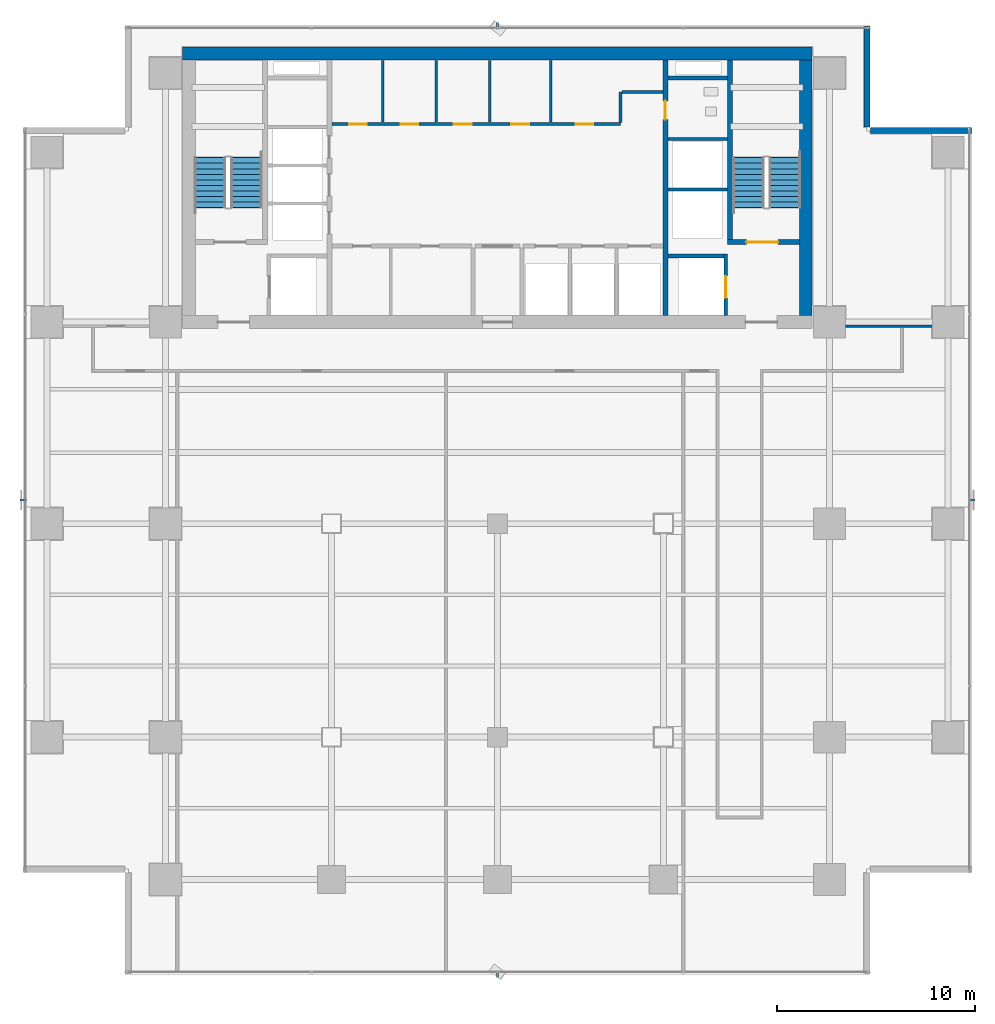
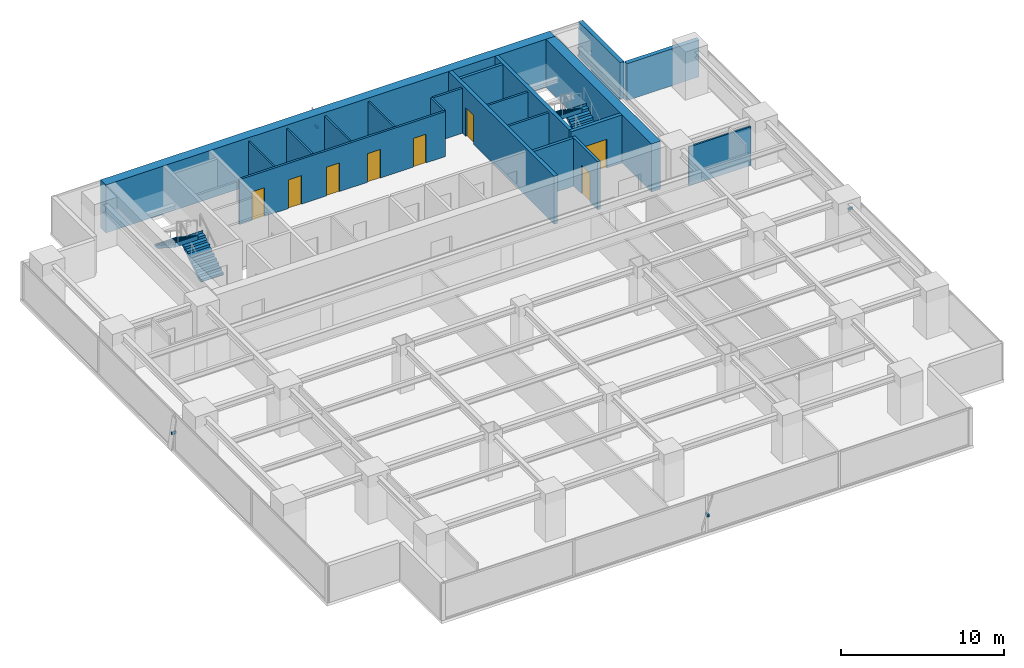
# One storey, part 22 of 27: 20 walls, 8 doors, 4 discrete accessories, 4 stair flights, 8 openings, 2 elements without a shape of their own.
"""IFC4 building model written with IfcOpenShell, lengths in metres."""

from ifc_helpers import new_model, si_unit, direction, frame, frame_2d, origin, origin_2d, place, context, subcontext, project, spatial, polyline, rectangle, outline, extrude, source, transform, mapped, material, layer, layer_set, material_profile, profile_set, type_object, element, fill, aggregate, save


model = new_model("IFC4")

# Units and contexts
model_context = context("Model", 3, precision=1e-05, world=origin(), true_north=direction((0.0, 1.0)))
body_context = subcontext(model_context, "Body", "Model", "MODEL_VIEW")
ifc_project = project(units=[si_unit("LENGTHUNIT", "METRE"), si_unit("AREAUNIT", "SQUARE_METRE"), si_unit("VOLUMEUNIT", "CUBIC_METRE"), si_unit("PLANEANGLEUNIT", "RADIAN"), si_unit("MASSUNIT", "GRAM", prefix="KILO")], contexts=[model_context])

# Site, building, storey
site_placement = place(None, origin())
site = spatial("IfcSite", under=ifc_project, at=site_placement, CompositionType="ELEMENT")
building_placement = place(site_placement, origin())
building = spatial("IfcBuilding", under=site, at=building_placement, Name="Sumidabori Civic Tower", CompositionType="ELEMENT")
storey_placement = place(building_placement, frame((0.0, 0.0, 142.39990234375)))
storey = spatial("IfcBuildingStorey", under=building, at=storey_placement, Name="L36", CompositionType="ELEMENT", Elevation=142.39990234375)

# Walls
ifc_material_1 = material(Name="Concrete C50/60", Category="concrete")
ifc_layer_1 = layer(ifc_material_1, 0.199951171875, Name="Concrete C50/60")
ifc_layer_set_1 = layer_set([ifc_layer_1], Name="Concrete C50/60")
wall_type_1 = type_object("IfcWallType", Name="WL-SHAFT-200", PredefinedType="SHEAR", material=ifc_layer_set_1)
shared_shape_1 = source(origin(), body_context, "Body", "SweptSolid", [
    extrude(rectangle(XDim=2.824951171875, YDim=0.199951171875, at=frame_2d((1.41259765625, 0.0))), origin(), (0.0, 0.0, 1.0), 3.60009765625),
])
wall_1_placement = place(storey_placement, frame((8.625, 13.550048828125, 0.0), z_axis=(0.0, 0.0, 1.0), x_axis=(1.0, 0.0, 0.0)))
element("IfcWall", 1, at=wall_1_placement, inside=storey, type_object=wall_type_1, Name="Core Shear Wall L36 EL2-N", PredefinedType="SHEAR", context=body_context, shape_type="MappedRepresentation", body=[
    mapped(shared_shape_1, transform((0.0, 0.0, 0.0), x_axis=(1.0, 0.0, 0.0), y_axis=(0.0, 1.0, 0.0), z_axis=(0.0, 0.0, 1.0), scale=1.0)),
])
shared_shape_2 = source(origin(), body_context, "Body", "SweptSolid", [
    extrude(rectangle(XDim=3.02001953125, YDim=0.199951171875, at=frame_2d((1.510009765625, 0.0))), origin(), (0.0, 0.0, 1.0), 3.60009765625),
])
wall_2_placement = place(storey_placement, frame((8.625, 22.550048828125, 0.0), z_axis=(0.0, 0.0, 1.0), x_axis=(1.0, 0.0, 0.0)))
element("IfcWall", 2, at=wall_2_placement, inside=storey, type_object=wall_type_1, Name="Core Shear Wall L36 RIS2-S", PredefinedType="SHEAR", context=body_context, shape_type="MappedRepresentation", body=[
    mapped(shared_shape_2, transform((0.0, 0.0, 0.0), x_axis=(1.0, 0.0, 0.0), y_axis=(0.0, 1.0, 0.0), z_axis=(0.0, 0.0, 1.0), scale=1.0)),
])
ifc_material_2 = material(Name="Concrete C60/75", Category="concrete")
ifc_layer_2 = layer(ifc_material_2, 0.64990234375, Name="Concrete C60/75")
ifc_layer_set_2 = layer_set([ifc_layer_2], Name="Concrete C60/75")
wall_type_2 = type_object("IfcWallType", Name="WL-CORE-650", PredefinedType="SHEAR", material=ifc_layer_set_2)
shared_shape_3 = source(origin(), body_context, "Body", "SweptSolid", [
    extrude(rectangle(XDim=31.85009765625, YDim=0.64990234375, at=frame_2d((15.925048828125, 0.0))), origin(), (0.0, 0.0, 1.0), 3.60009765625),
])
wall_3_placement = place(storey_placement, frame((-15.925048828125, 23.800048828125, 0.0), z_axis=(0.0, 0.0, 1.0), x_axis=(1.0, 0.0, 0.0)))
element("IfcWall", 3, at=wall_3_placement, inside=storey, type_object=wall_type_2, Name="Core Shear Wall L36 N", PredefinedType="SHEAR", context=body_context, shape_type="MappedRepresentation", body=[
    mapped(shared_shape_3, transform((0.0, 0.0, 0.0), x_axis=(1.0, 0.0, 0.0), y_axis=(0.0, 1.0, 0.0), z_axis=(0.0, 0.0, 1.0), scale=1.0)),
])
shared_shape_4 = source(origin(), body_context, "Body", "SweptSolid", [
    extrude(rectangle(XDim=12.9501953125, YDim=0.64990234375, at=frame_2d((6.47509765625, 0.0))), origin(), (0.0, 0.0, 1.0), 3.60009765625),
])
wall_4_placement = place(storey_placement, frame((15.60009765625, 10.52490234375, 0.0), z_axis=(0.0, 0.0, 1.0), x_axis=(0.0, 1.0, 0.0)))
element("IfcWall", 4, at=wall_4_placement, inside=storey, type_object=wall_type_2, Name="Core Shear Wall L36 E", PredefinedType="SHEAR", context=body_context, shape_type="MappedRepresentation", body=[
    mapped(shared_shape_4, transform((0.0, 0.0, 0.0), x_axis=(1.0, 0.0, 0.0), y_axis=(0.0, 1.0, 0.0), z_axis=(0.0, 0.0, 1.0), scale=1.0)),
])

# Wall, opening, door
ifc_layer_3 = layer(ifc_material_1, 0.25, Name="Concrete C50/60")
ifc_layer_set_3 = layer_set([ifc_layer_3], Name="Concrete C50/60")
wall_type_3 = type_object("IfcWallType", Name="WL-SHAFT-250", PredefinedType="SHEAR", material=ifc_layer_set_3)
shared_shape_5 = source(origin(), body_context, "Body", "SweptSolid", [
    extrude(rectangle(XDim=12.9501953125, YDim=0.25, at=frame_2d((6.47509765625, 0.0))), origin(), (0.0, 0.0, 1.0), 3.60009765625),
])
wall_5_placement = place(storey_placement, frame((8.5, 10.52490234375, 0.0), z_axis=(0.0, 0.0, 1.0), x_axis=(0.0, 1.0, 0.0)))
wall_5 = element("IfcWall", 5, at=wall_5_placement, inside=storey, type_object=wall_type_3, Name="Core Shear Wall L36 WEB-E", PredefinedType="SHEAR", context=body_context, shape_type="MappedRepresentation", body=[
    mapped(shared_shape_5, transform((0.0, 0.0, 0.0), x_axis=(1.0, 0.0, 0.0), y_axis=(0.0, 1.0, 0.0), z_axis=(0.0, 0.0, 1.0), scale=1.0)),
])
opening_1_placement = place(wall_5_placement, frame((9.925048828125, 0.0, 0.0)))
opening_1 = element("IfcOpeningElement", 6, at=opening_1_placement, cuts=wall_5, Name="Opening DR-2", PredefinedType="OPENING", context=body_context, shape_type="SweptSolid", body=[
    extrude(rectangle(XDim=0.949951171875, YDim=2.14990234375, at=frame_2d((0.47509765625, 1.074951171875))), frame((0.0, 0.136962890625, 0.0), z_axis=(0.0, -1.0, 0.0), x_axis=(1.0, 0.0, 0.0)), (0.0, 0.0, 1.0), 0.27392578125),
])
ifc_material_3 = material(Name="Japanese Hinoki Timber", Category="wood")
door_type_1 = type_object("IfcDoorType", Name="DR-INT-950", OperationType="NOTDEFINED", PredefinedType="DOOR", material=ifc_material_3)
shared_shape_6 = source(origin(), body_context, "Body", "SweptSolid", [
    extrude(rectangle(XDim=0.949951171875, YDim=2.14990234375, at=frame_2d((0.47509765625, 1.074951171875))), frame((0.0, 0.02490234375, 0.0), z_axis=(0.0, -1.0, 0.0), x_axis=(1.0, 0.0, 0.0)), (0.0, 0.0, 1.0), 0.050048828125),
])
door_1_placement = place(opening_1_placement, origin())
door_1 = element("IfcDoor", 7, at=door_1_placement, inside=storey, type_object=door_type_1, Name="Door DR:L36:WC-ACC", OperationType="SINGLE_SWING_RIGHT", OverallHeight=2.14990234375, OverallWidth=0.949951171875, PredefinedType="DOOR", context=body_context, shape_type="MappedRepresentation", body=[
    mapped(shared_shape_6, transform((0.0, 0.0, 0.0), x_axis=(1.0, 0.0, 0.0), y_axis=(0.0, 1.0, 0.0), z_axis=(0.0, 0.0, 1.0), scale=1.0)),
])
fill(opening_1, door_1)

shared_shape_7 = source(origin(), body_context, "Body", "SweptSolid", [
    extrude(rectangle(XDim=3.6298828125, YDim=0.25, at=frame_2d((1.81494140625, 0.0))), origin(), (0.0, 0.0, 1.0), 3.60009765625),
])
wall_6_placement = place(storey_placement, frame((11.64501953125, 14.25, 0.0), z_axis=(0.0, 0.0, 1.0), x_axis=(1.0, 0.0, 0.0)))
wall_6 = element("IfcWall", 8, at=wall_6_placement, inside=storey, type_object=wall_type_3, Name="Core Shear Wall L36 ST2-S", PredefinedType="SHEAR", context=body_context, shape_type="MappedRepresentation", body=[
    mapped(shared_shape_7, transform((0.0, 0.0, 0.0), x_axis=(1.0, 0.0, 0.0), y_axis=(0.0, 1.0, 0.0), z_axis=(0.0, 0.0, 1.0), scale=1.0)),
])
opening_2_placement = place(wall_6_placement, frame((0.949951171875, 0.0, 0.0)))
opening_2 = element("IfcOpeningElement", 9, at=opening_2_placement, cuts=wall_6, Name="Opening DR-FD4", PredefinedType="OPENING", context=body_context, shape_type="SweptSolid", body=[
    extrude(rectangle(XDim=1.60009765625, YDim=2.14990234375, at=frame_2d((0.800048828125, 1.074951171875))), frame((0.0, 0.136962890625, 0.0), z_axis=(0.0, -1.0, 0.0), x_axis=(1.0, 0.0, 0.0)), (0.0, 0.0, 1.0), 0.27392578125),
])
ifc_material_4 = material(Name="Steel SN490", Category="steel")
door_type_2 = type_object("IfcDoorType", Name="DR-FD4", OperationType="DOUBLE_DOOR_SINGLE_SWING", PredefinedType="DOOR", material=ifc_material_4)
shared_shape_8 = source(origin(), body_context, "Body", "SweptSolid", [
    extrude(rectangle(XDim=1.60009765625, YDim=2.14990234375, at=frame_2d((0.800048828125, 1.074951171875))), frame((0.0, 0.02490234375, 0.0), z_axis=(0.0, -1.0, 0.0), x_axis=(1.0, 0.0, 0.0)), (0.0, 0.0, 1.0), 0.050048828125),
])
door_2_placement = place(opening_2_placement, origin())
door_2 = element("IfcDoor", 10, at=door_2_placement, inside=storey, type_object=door_type_2, Name="Door DR:L36:ST2", OperationType="DOUBLE_DOOR_SINGLE_SWING", OverallHeight=2.14990234375, OverallWidth=1.60009765625, PredefinedType="DOOR", context=body_context, shape_type="MappedRepresentation", body=[
    mapped(shared_shape_8, transform((0.0, 0.0, 0.0), x_axis=(1.0, 0.0, 0.0), y_axis=(0.0, 1.0, 0.0), z_axis=(0.0, 0.0, 1.0), scale=1.0)),
])
fill(opening_2, door_2)

# Wall
shared_shape_9 = source(origin(), body_context, "Body", "SweptSolid", [
    extrude(rectangle(XDim=9.10009765625, YDim=0.25, at=frame_2d((4.550048828125, 0.0))), origin(), (0.0, 0.0, 1.0), 3.60009765625),
])
wall_7_placement = place(storey_placement, frame((11.77001953125, 14.375, 0.0), z_axis=(0.0, 0.0, 1.0), x_axis=(0.0, 1.0, 0.0)))
element("IfcWall", 11, at=wall_7_placement, inside=storey, type_object=wall_type_3, Name="Core Shear Wall L36 ST2-W", PredefinedType="SHEAR", context=body_context, shape_type="MappedRepresentation", body=[
    mapped(shared_shape_9, transform((0.0, 0.0, 0.0), x_axis=(1.0, 0.0, 0.0), y_axis=(0.0, 1.0, 0.0), z_axis=(0.0, 0.0, 1.0), scale=1.0)),
])

# Wall, opening, door
shared_shape_10 = source(origin(), body_context, "Body", "SweptSolid", [
    extrude(rectangle(XDim=3.125, YDim=0.199951171875, at=frame_2d((1.5625, 0.0))), origin(), (0.0, 0.0, 1.0), 3.60009765625),
])
wall_8_placement = place(storey_placement, frame((11.550048828125, 10.52490234375, 0.0), z_axis=(0.0, 0.0, 1.0), x_axis=(0.0, 1.0, 0.0)))
wall_8 = element("IfcWall", 12, at=wall_8_placement, inside=storey, type_object=wall_type_1, Name="Core Shear Wall L36 EL2-E", PredefinedType="SHEAR", context=body_context, shape_type="MappedRepresentation", body=[
    mapped(shared_shape_10, transform((0.0, 0.0, 0.0), x_axis=(1.0, 0.0, 0.0), y_axis=(0.0, 1.0, 0.0), z_axis=(0.0, 0.0, 1.0), scale=1.0)),
])
opening_3_placement = place(wall_8_placement, frame((0.89990234375, 0.0, 0.0)))
opening_3 = element("IfcOpeningElement", 13, at=opening_3_placement, cuts=wall_8, Name="Opening LD-2", PredefinedType="OPENING", context=body_context, shape_type="SweptSolid", body=[
    extrude(rectangle(XDim=1.10009765625, YDim=2.14990234375, at=frame_2d((0.550048828125, 1.074951171875))), frame((0.0, 0.11181640625, 0.0), z_axis=(0.0, -1.0, 0.0), x_axis=(1.0, 0.0, 0.0)), (0.0, 0.0, 1.0), 0.223876953125),
])
ifc_material_5 = material(Name="Stainless Steel Hairline Finish", Category="steel")
door_type_3 = type_object("IfcDoorType", Name="DR-LD2", OperationType="DOUBLE_DOOR_SLIDING", PredefinedType="DOOR", material=ifc_material_5)
shared_shape_11 = source(origin(), body_context, "Body", "SweptSolid", [
    extrude(rectangle(XDim=1.10009765625, YDim=2.14990234375, at=frame_2d((0.550048828125, 1.074951171875))), frame((0.0, 0.02490234375, 0.0), z_axis=(0.0, -1.0, 0.0), x_axis=(1.0, 0.0, 0.0)), (0.0, 0.0, 1.0), 0.050048828125),
])
door_3_placement = place(opening_3_placement, origin())
door_3 = element("IfcDoor", 14, at=door_3_placement, inside=storey, type_object=door_type_3, Name="Door DR:L36:LD-EL2", OperationType="DOUBLE_DOOR_SLIDING", OverallHeight=2.14990234375, OverallWidth=1.10009765625, PredefinedType="DOOR", context=body_context, shape_type="MappedRepresentation", body=[
    mapped(shared_shape_11, transform((0.0, 0.0, 0.0), x_axis=(1.0, 0.0, 0.0), y_axis=(0.0, 1.0, 0.0), z_axis=(0.0, 0.0, 1.0), scale=1.0)),
])
fill(opening_3, door_3)

# Walls
ifc_material_6 = material(Name="Precast concrete C40/50", Category="concrete")
ifc_layer_4 = layer(ifc_material_6, 0.300048828125, Name="Precast concrete C40/50")
ifc_layer_set_4 = layer_set([ifc_layer_4], Name="Precast concrete C40/50")
wall_type_4 = type_object("IfcWallType", Name="WL-EXT-POD300", PredefinedType="STANDARD", material=ifc_layer_set_4)
shared_shape_12 = source(origin(), body_context, "Body", "SweptSolid", [
    extrude(rectangle(XDim=5.10986328125, YDim=0.300048828125, at=frame_2d((2.554931640625, 0.0))), origin(), (0.0, 0.0, 1.0), 2.760009765625),
])
for number, where, z_axis, x_axis, name in (
    (15, (23.97998046875, 19.89990234375, 0.0), (0.0, 0.0, 1.0), (-1.0, 0.0, 0.0), "Notched Corner Spandrel Band L36-05"),
    (16, (18.699951171875, 20.070068359375, 0.0), (0.0, 0.0, 1.0), (0.0, 1.0, 0.0), "Notched Corner Spandrel Band L36-06"),
):
    element("IfcWall", number, at=place(storey_placement, frame(where, z_axis=z_axis, x_axis=x_axis)), inside=storey, type_object=wall_type_4, Name=name, PredefinedType="STANDARD", context=body_context, shape_type="MappedRepresentation", body=[
        mapped(shared_shape_12, transform((0.0, 0.0, 0.0), x_axis=(1.0, 0.0, 0.0), y_axis=(0.0, 1.0, 0.0), z_axis=(0.0, 0.0, 1.0), scale=1.0)),
    ])
ifc_material_7 = material(Name="Gypsum Plasterboard Acoustic Partition")
ifc_layer_5 = layer(ifc_material_7, 0.14990234375, Name="Gypsum Plasterboard Acoustic Partition")
ifc_layer_set_5 = layer_set([ifc_layer_5], Name="Gypsum Plasterboard Acoustic Partition")
wall_type_5 = type_object("IfcWallType", Name="WL-PART-150", PredefinedType="PARTITIONING", material=ifc_layer_set_5)
shared_shape_13 = source(origin(), body_context, "Body", "SweptSolid", [
    extrude(rectangle(XDim=3.010009765625, YDim=0.14990234375, at=frame_2d((1.5048828125, 0.0))), origin(), (0.0, 0.0, 1.0), 3.380126953125),
])
for number, where, z_axis, x_axis, name in (
    (17, (8.6298828125, 16.919921875, 0.0), (0.0, 0.0, 1.0), (1.0, 0.0, 0.0), "Interior Partition WL:L36:DIV-OBS1"),
    (18, (8.6298828125, 19.469970703125, 0.0), (0.0, 0.0, 1.0), (1.0, 0.0, 0.0), "Interior Partition WL:L36:DIV-OBS2"),
):
    element("IfcWall", number, at=place(storey_placement, frame(where, z_axis=z_axis, x_axis=x_axis)), inside=storey, type_object=wall_type_5, Name=name, PredefinedType="PARTITIONING", context=body_context, shape_type="MappedRepresentation", body=[
        mapped(shared_shape_13, transform((0.0, 0.0, 0.0), x_axis=(1.0, 0.0, 0.0), y_axis=(0.0, 1.0, 0.0), z_axis=(0.0, 0.0, 1.0), scale=1.0)),
    ])

# Wall, openings, doors
shared_shape_14 = source(origin(), body_context, "Body", "SweptSolid", [
    extrude(rectangle(XDim=14.590087890625, YDim=0.14990234375, at=frame_2d((7.294921875, 0.0))), origin(), (0.0, 0.0, 1.0), 3.380126953125),
])
wall_9_placement = place(storey_placement, frame((-8.3701171875, 20.219970703125, 0.0), z_axis=(0.0, 0.0, 1.0), x_axis=(1.0, 0.0, 0.0)))
wall_9 = element("IfcWall", 19, at=wall_9_placement, inside=storey, type_object=wall_type_5, Name="Interior Partition WL:L36:CBAND-M", PredefinedType="PARTITIONING", context=body_context, shape_type="MappedRepresentation", body=[
    mapped(shared_shape_14, transform((0.0, 0.0, 0.0), x_axis=(1.0, 0.0, 0.0), y_axis=(0.0, 1.0, 0.0), z_axis=(0.0, 0.0, 1.0), scale=1.0)),
])
opening_4_placement = place(wall_9_placement, frame((0.860107421875, 0.0, 0.0)))
opening_4 = element("IfcOpeningElement", 20, at=opening_4_placement, cuts=wall_9, Name="Opening DR-1", PredefinedType="OPENING", context=body_context, shape_type="SweptSolid", body=[
    extrude(rectangle(XDim=0.89990234375, YDim=2.14990234375, at=frame_2d((0.449951171875, 1.074951171875))), frame((0.0, 0.0869140625, 0.0), z_axis=(0.0, -1.0, 0.0), x_axis=(1.0, 0.0, 0.0)), (0.0, 0.0, 1.0), 0.173828125),
])
opening_5_placement = place(wall_9_placement, frame((3.469970703125, 0.0, 0.0)))
opening_5 = element("IfcOpeningElement", 21, at=opening_5_placement, cuts=wall_9, Name="Opening DR-1", PredefinedType="OPENING", context=body_context, shape_type="SweptSolid", body=[
    extrude(rectangle(XDim=0.89990234375, YDim=2.14990234375, at=frame_2d((0.449951171875, 1.074951171875))), frame((0.0, 0.0869140625, 0.0), z_axis=(0.0, -1.0, 0.0), x_axis=(1.0, 0.0, 0.0)), (0.0, 0.0, 1.0), 0.173828125),
])
opening_6_placement = place(wall_9_placement, frame((6.169921875, 0.0, 0.0)))
opening_6 = element("IfcOpeningElement", 22, at=opening_6_placement, cuts=wall_9, Name="Opening DR-1", PredefinedType="OPENING", context=body_context, shape_type="SweptSolid", body=[
    extrude(rectangle(XDim=0.89990234375, YDim=2.14990234375, at=frame_2d((0.449951171875, 1.074951171875))), frame((0.0, 0.0869140625, 0.0), z_axis=(0.0, -1.0, 0.0), x_axis=(1.0, 0.0, 0.0)), (0.0, 0.0, 1.0), 0.173828125),
])
opening_7_placement = place(wall_9_placement, frame((9.070068359375, 0.0, 0.0)))
opening_7 = element("IfcOpeningElement", 23, at=opening_7_placement, cuts=wall_9, Name="Opening DR-1", PredefinedType="OPENING", context=body_context, shape_type="SweptSolid", body=[
    extrude(rectangle(XDim=0.89990234375, YDim=2.14990234375, at=frame_2d((0.449951171875, 1.074951171875))), frame((0.0, 0.0869140625, 0.0), z_axis=(0.0, -1.0, 0.0), x_axis=(1.0, 0.0, 0.0)), (0.0, 0.0, 1.0), 0.173828125),
])
opening_8_placement = place(wall_9_placement, frame((12.320068359375, 0.0, 0.0)))
opening_8 = element("IfcOpeningElement", 24, at=opening_8_placement, cuts=wall_9, Name="Opening DR-1", PredefinedType="OPENING", context=body_context, shape_type="SweptSolid", body=[
    extrude(rectangle(XDim=0.89990234375, YDim=2.14990234375, at=frame_2d((0.449951171875, 1.074951171875))), frame((0.0, 0.0869140625, 0.0), z_axis=(0.0, -1.0, 0.0), x_axis=(1.0, 0.0, 0.0)), (0.0, 0.0, 1.0), 0.173828125),
])
door_type_4 = type_object("IfcDoorType", Name="DR-INT-900", OperationType="NOTDEFINED", PredefinedType="DOOR", material=ifc_material_3)
shared_shape_15 = source(origin(), body_context, "Body", "SweptSolid", [
    extrude(rectangle(XDim=0.89990234375, YDim=2.14990234375, at=frame_2d((0.449951171875, 1.074951171875))), frame((0.0, 0.02490234375, 0.0), z_axis=(0.0, -1.0, 0.0), x_axis=(1.0, 0.0, 0.0)), (0.0, 0.0, 1.0), 0.050048828125),
])
door_4_placement = place(opening_4_placement, origin())
door_4 = element("IfcDoor", 25, at=door_4_placement, inside=storey, type_object=door_type_4, Name="Door DR:L36:CB-1", OperationType="SINGLE_SWING_LEFT", OverallHeight=2.14990234375, OverallWidth=0.89990234375, PredefinedType="DOOR", context=body_context, shape_type="MappedRepresentation", body=[
    mapped(shared_shape_15, transform((0.0, 0.0, 0.0), x_axis=(1.0, 0.0, 0.0), y_axis=(0.0, 1.0, 0.0), z_axis=(0.0, 0.0, 1.0), scale=1.0)),
])
fill(opening_4, door_4)
door_5_placement = place(opening_5_placement, origin())
door_5 = element("IfcDoor", 26, at=door_5_placement, inside=storey, type_object=door_type_4, Name="Door DR:L36:CB-2", OperationType="SINGLE_SWING_RIGHT", OverallHeight=2.14990234375, OverallWidth=0.89990234375, PredefinedType="DOOR", context=body_context, shape_type="MappedRepresentation", body=[
    mapped(shared_shape_15, transform((0.0, 0.0, 0.0), x_axis=(1.0, 0.0, 0.0), y_axis=(0.0, 1.0, 0.0), z_axis=(0.0, 0.0, 1.0), scale=1.0)),
])
fill(opening_5, door_5)
door_6_placement = place(opening_6_placement, origin())
door_6 = element("IfcDoor", 27, at=door_6_placement, inside=storey, type_object=door_type_4, Name="Door DR:L36:CB-3", OperationType="SINGLE_SWING_LEFT", OverallHeight=2.14990234375, OverallWidth=0.89990234375, PredefinedType="DOOR", context=body_context, shape_type="MappedRepresentation", body=[
    mapped(shared_shape_15, transform((0.0, 0.0, 0.0), x_axis=(1.0, 0.0, 0.0), y_axis=(0.0, 1.0, 0.0), z_axis=(0.0, 0.0, 1.0), scale=1.0)),
])
fill(opening_6, door_6)
door_7_placement = place(opening_7_placement, origin())
door_7 = element("IfcDoor", 28, at=door_7_placement, inside=storey, type_object=door_type_4, Name="Door DR:L36:CB-4", OperationType="SINGLE_SWING_RIGHT", OverallHeight=2.14990234375, OverallWidth=0.89990234375, PredefinedType="DOOR", context=body_context, shape_type="MappedRepresentation", body=[
    mapped(shared_shape_15, transform((0.0, 0.0, 0.0), x_axis=(1.0, 0.0, 0.0), y_axis=(0.0, 1.0, 0.0), z_axis=(0.0, 0.0, 1.0), scale=1.0)),
])
fill(opening_7, door_7)
door_8_placement = place(opening_8_placement, origin())
door_8 = element("IfcDoor", 29, at=door_8_placement, inside=storey, type_object=door_type_4, Name="Door DR:L36:CB-5", OperationType="SINGLE_SWING_LEFT", OverallHeight=2.14990234375, OverallWidth=0.89990234375, PredefinedType="DOOR", context=body_context, shape_type="MappedRepresentation", body=[
    mapped(shared_shape_15, transform((0.0, 0.0, 0.0), x_axis=(1.0, 0.0, 0.0), y_axis=(0.0, 1.0, 0.0), z_axis=(0.0, 0.0, 1.0), scale=1.0)),
])
fill(opening_8, door_8)

# Walls
shared_shape_16 = source(origin(), body_context, "Body", "SweptSolid", [
    extrude(rectangle(XDim=1.550048828125, YDim=0.14990234375, at=frame_2d((0.77490234375, 0.0))), origin(), (0.0, 0.0, 1.0), 3.380126953125),
])
wall_10_placement = place(storey_placement, frame((6.219970703125, 20.300048828125, 0.0), z_axis=(0.0, 0.0, 1.0), x_axis=(0.0, 1.0, 0.0)))
element("IfcWall", 30, at=wall_10_placement, inside=storey, type_object=wall_type_5, Name="Interior Partition WL:L36:CBAND-ME1", PredefinedType="PARTITIONING", context=body_context, shape_type="MappedRepresentation", body=[
    mapped(shared_shape_16, transform((0.0, 0.0, 0.0), x_axis=(1.0, 0.0, 0.0), y_axis=(0.0, 1.0, 0.0), z_axis=(0.0, 0.0, 1.0), scale=1.0)),
])
shared_shape_17 = source(origin(), body_context, "Body", "SweptSolid", [
    extrude(rectangle(XDim=2.070068359375, YDim=0.14990234375, at=frame_2d((1.03515625, 0.0))), origin(), (0.0, 0.0, 1.0), 3.380126953125),
])
wall_11_placement = place(storey_placement, frame((6.300048828125, 21.85009765625, 0.0), z_axis=(0.0, 0.0, 1.0), x_axis=(1.0, 0.0, 0.0)))
element("IfcWall", 31, at=wall_11_placement, inside=storey, type_object=wall_type_5, Name="Interior Partition WL:L36:CBAND-ME2", PredefinedType="PARTITIONING", context=body_context, shape_type="MappedRepresentation", body=[
    mapped(shared_shape_17, transform((0.0, 0.0, 0.0), x_axis=(1.0, 0.0, 0.0), y_axis=(0.0, 1.0, 0.0), z_axis=(0.0, 0.0, 1.0), scale=1.0)),
])
ifc_layer_6 = layer(ifc_material_7, 0.1201171875, Name="Gypsum Plasterboard Acoustic Partition")
ifc_layer_set_6 = layer_set([ifc_layer_6], Name="Gypsum Plasterboard Acoustic Partition")
wall_type_6 = type_object("IfcWallType", Name="WL-PART-120", PredefinedType="PARTITIONING", material=ifc_layer_set_6)
shared_shape_18 = source(origin(), body_context, "Body", "SweptSolid", [
    extrude(rectangle(XDim=3.114990234375, YDim=0.1201171875, at=frame_2d((1.5576171875, 0.0))), origin(), (0.0, 0.0, 1.0), 3.380126953125),
])
for number, where, z_axis, x_axis, name in (
    (32, (-5.800048828125, 20.320068359375, 0.0), (0.0, 0.0, 1.0), (0.0, 1.0, 0.0), "Interior Partition WL:L36:LV8-S1"),
    (33, (-3.10009765625, 20.320068359375, 0.0), (0.0, 0.0, 1.0), (0.0, 1.0, 0.0), "Interior Partition WL:L36:LV8-S2"),
    (34, (-0.39990234375, 20.320068359375, 0.0), (0.0, 0.0, 1.0), (0.0, 1.0, 0.0), "Interior Partition WL:L36:LV8-S3"),
    (35, (2.699951171875, 20.320068359375, 0.0), (0.0, 0.0, 1.0), (0.0, 1.0, 0.0), "Interior Partition WL:L36:LV8-S4"),
):
    element("IfcWall", number, at=place(storey_placement, frame(where, z_axis=z_axis, x_axis=x_axis)), inside=storey, type_object=wall_type_6, Name=name, PredefinedType="PARTITIONING", context=body_context, shape_type="MappedRepresentation", body=[
        mapped(shared_shape_18, transform((0.0, 0.0, 0.0), x_axis=(1.0, 0.0, 0.0), y_axis=(0.0, 1.0, 0.0), z_axis=(0.0, 0.0, 1.0), scale=1.0)),
    ])
shared_shape_19 = source(origin(), body_context, "Body", "SweptSolid", [
    extrude(rectangle(XDim=4.3798828125, YDim=0.1201171875, at=frame_2d((2.18994140625, 0.0))), origin(), (0.0, 0.0, 1.0), 2.9150390625),
])
wall_12_placement = place(storey_placement, frame((17.610107421875, 10.0, 0.0), z_axis=(0.0, 0.0, 1.0), x_axis=(1.0, 0.0, 0.0)))
element("IfcWall", 36, at=wall_12_placement, inside=storey, type_object=wall_type_6, Name="Interior Partition WL:L36:FLK-NE", PredefinedType="PARTITIONING", context=body_context, shape_type="MappedRepresentation", body=[
    mapped(shared_shape_19, transform((0.0, 0.0, 0.0), x_axis=(1.0, 0.0, 0.0), y_axis=(0.0, 1.0, 0.0), z_axis=(0.0, 0.0, 1.0), scale=1.0)),
])

# Stair, stair flights
ifc_material_8 = material(Name="Concrete C40/50", Category="concrete")
stair_type = type_object("IfcStairType", Name="ST-CORE-1600", PredefinedType="HALF_TURN_STAIR", material=ifc_material_8)
stair_1_placement = place(storey_placement, origin())
stair_1 = element("IfcStair", 37, at=stair_1_placement, inside=storey, type_object=stair_type, Name="L36 ST-1", PredefinedType="HALF_TURN_STAIR")
stair_flight_type = type_object("IfcStairFlightType", Name="SF-CORE-1600", PredefinedType="STRAIGHT", material=ifc_material_8)
shared_shape_20 = source(origin(), body_context, "Body", "SweptSolid", [
    extrude(outline(polyline([(-0.02490234375, 0.0), (-0.02490234375, 0.0400390625), (0.0, 0.0400390625), (0.0, 0.179931640625), (0.280029296875, 0.179931640625), (0.280029296875, 0.360107421875), (0.56005859375, 0.360107421875), (0.56005859375, 0.5400390625), (0.840087890625, 0.5400390625), (0.840087890625, 0.719970703125), (1.1201171875, 0.719970703125), (1.1201171875, 0.89990234375), (1.39990234375, 0.89990234375), (1.39990234375, 1.080078125), (1.679931640625, 1.080078125), (1.679931640625, 1.260009765625), (1.9599609375, 1.260009765625), (1.9599609375, 1.43994140625), (2.239990234375, 1.43994140625), (2.239990234375, 1.6201171875), (2.52001953125, 1.6201171875), (2.52001953125, 1.800048828125), (2.544921875, 1.800048828125), (2.544921875, 1.650146484375), (2.52001953125, 1.44189453125), (0.277099609375, 0.0), (-0.02490234375, 0.0)])), frame((0.0, 0.800048828125, 0.0), z_axis=(0.0, -1.0, 0.0), x_axis=(1.0, 0.0, 0.0)), (0.0, 0.0, 1.0), 1.60009765625),
])
stair_flight_1_placement = place(storey_placement, frame((-12.699951171875, 16.0, 0.0), z_axis=(0.0, 0.0, 1.0), x_axis=(0.0, 1.0, 0.0)))
stair_flight_1 = element("IfcStairFlight", 38, at=stair_flight_1_placement, type_object=stair_flight_type, Name="ST-1 flight 1", NumberOfRisers=10, NumberOfTreads=9, PredefinedType="STRAIGHT", RiserHeight=0.18, TreadLength=0.28, context=body_context, shape_type="MappedRepresentation", body=[
    mapped(shared_shape_20, transform((0.0, 0.0, 0.0), x_axis=(1.0, 0.0, 0.0), y_axis=(0.0, 1.0, 0.0), z_axis=(0.0, 0.0, 1.0), scale=1.0)),
])
stair_flight_2_placement = place(storey_placement, frame((-14.5400390625, 18.52001953125, 1.800048828125), z_axis=(0.0, 0.0, 1.0), x_axis=(0.0, -1.0, 0.0)))
stair_flight_2 = element("IfcStairFlight", 39, at=stair_flight_2_placement, type_object=stair_flight_type, Name="ST-1 flight 2", NumberOfRisers=10, NumberOfTreads=9, PredefinedType="STRAIGHT", RiserHeight=0.18, TreadLength=0.28, context=body_context, shape_type="MappedRepresentation", body=[
    mapped(shared_shape_20, transform((0.0, 0.0, 0.0), x_axis=(1.0, 0.0, 0.0), y_axis=(0.0, 1.0, 0.0), z_axis=(0.0, 0.0, 1.0), scale=1.0)),
])
aggregate(stair_1, [stair_flight_1, stair_flight_2])

stair_2_placement = place(storey_placement, origin())
stair_2 = element("IfcStair", 40, at=stair_2_placement, inside=storey, type_object=stair_type, Name="L36 ST-2", PredefinedType="HALF_TURN_STAIR")
stair_flight_3_placement = place(storey_placement, frame((14.5400390625, 16.0, 0.0), z_axis=(0.0, 0.0, 1.0), x_axis=(0.0, 1.0, 0.0)))
stair_flight_3 = element("IfcStairFlight", 41, at=stair_flight_3_placement, type_object=stair_flight_type, Name="ST-2 flight 1", NumberOfRisers=10, NumberOfTreads=9, PredefinedType="STRAIGHT", RiserHeight=0.18, TreadLength=0.28, context=body_context, shape_type="MappedRepresentation", body=[
    mapped(shared_shape_20, transform((0.0, 0.0, 0.0), x_axis=(1.0, 0.0, 0.0), y_axis=(0.0, 1.0, 0.0), z_axis=(0.0, 0.0, 1.0), scale=1.0)),
])
stair_flight_4_placement = place(storey_placement, frame((12.699951171875, 18.52001953125, 1.800048828125), z_axis=(0.0, 0.0, 1.0), x_axis=(0.0, -1.0, 0.0)))
stair_flight_4 = element("IfcStairFlight", 42, at=stair_flight_4_placement, type_object=stair_flight_type, Name="ST-2 flight 2", NumberOfRisers=10, NumberOfTreads=9, PredefinedType="STRAIGHT", RiserHeight=0.18, TreadLength=0.28, context=body_context, shape_type="MappedRepresentation", body=[
    mapped(shared_shape_20, transform((0.0, 0.0, 0.0), x_axis=(1.0, 0.0, 0.0), y_axis=(0.0, 1.0, 0.0), z_axis=(0.0, 0.0, 1.0), scale=1.0)),
])
aggregate(stair_2, [stair_flight_3, stair_flight_4])

# Discrete accessories
ifc_material_profile = material_profile(ifc_material_5, rectangle(XDim=0.1201171875, YDim=0.179931640625, at=origin_2d()), Name="STEEL BRACKET 180x120")
ifc_profile_set = profile_set([ifc_material_profile], Name="Stainless Steel Hairline Finish")
discrete_accessory_type = type_object("IfcDiscreteAccessoryType", Name="AC-BRK-180", PredefinedType="BRACKET", material=ifc_profile_set)
shared_shape_21 = source(origin(), body_context, "Body", "SweptSolid", [
    extrude(rectangle(XDim=0.1201171875, YDim=0.179931640625, at=origin_2d()), origin(), (0.0, 0.0, 1.0), 0.329833984375),
])
for number, where, z_axis, x_axis, name in (
    (43, (23.830078125, 1.199951171875, 1.3701171875), (1.0, 0.0, 0.0), (0.0, 1.0, 0.0), "Bronze Fin Fixing Bracket L36-02"),
    (44, (-23.830078125, 1.199951171875, 1.3701171875), (-1.0, 0.0, 0.0), (0.0, -1.0, 0.0), "Bronze Fin Fixing Bracket L36-02"),
):
    element("IfcDiscreteAccessory", number, at=place(storey_placement, frame(where, z_axis=z_axis, x_axis=x_axis)), inside=storey, type_object=discrete_accessory_type, Name=name, PredefinedType="BRACKET", context=body_context, shape_type="MappedRepresentation", body=[
        mapped(shared_shape_21, transform((0.0, 0.0, 0.0), x_axis=(1.0, 0.0, 0.0), y_axis=(0.0, 1.0, 0.0), z_axis=(0.0, 0.0, 1.0), scale=1.0)),
    ])
shared_shape_22 = source(origin(), body_context, "Body", "SweptSolid", [
    extrude(rectangle(XDim=0.1201171875, YDim=0.179931640625, at=origin_2d()), origin(), (0.0, 0.0, 1.0), 0.330078125),
])
for number, where, z_axis, x_axis, name in (
    (45, (0.0, -22.6298828125, 1.3701171875), (0.0, -1.0, 0.0), (1.0, 0.0, 0.0), "Bronze Fin Fixing Bracket L36-02"),
    (46, (0.0, 25.030029296875, 1.3701171875), (0.0, 1.0, 0.0), (-1.0, 0.0, 0.0), "Bronze Fin Fixing Bracket L36-02"),
):
    element("IfcDiscreteAccessory", number, at=place(storey_placement, frame(where, z_axis=z_axis, x_axis=x_axis)), inside=storey, type_object=discrete_accessory_type, Name=name, PredefinedType="BRACKET", context=body_context, shape_type="MappedRepresentation", body=[
        mapped(shared_shape_22, transform((0.0, 0.0, 0.0), x_axis=(1.0, 0.0, 0.0), y_axis=(0.0, 1.0, 0.0), z_axis=(0.0, 0.0, 1.0), scale=1.0)),
    ])

save(model, "model.ifc")
